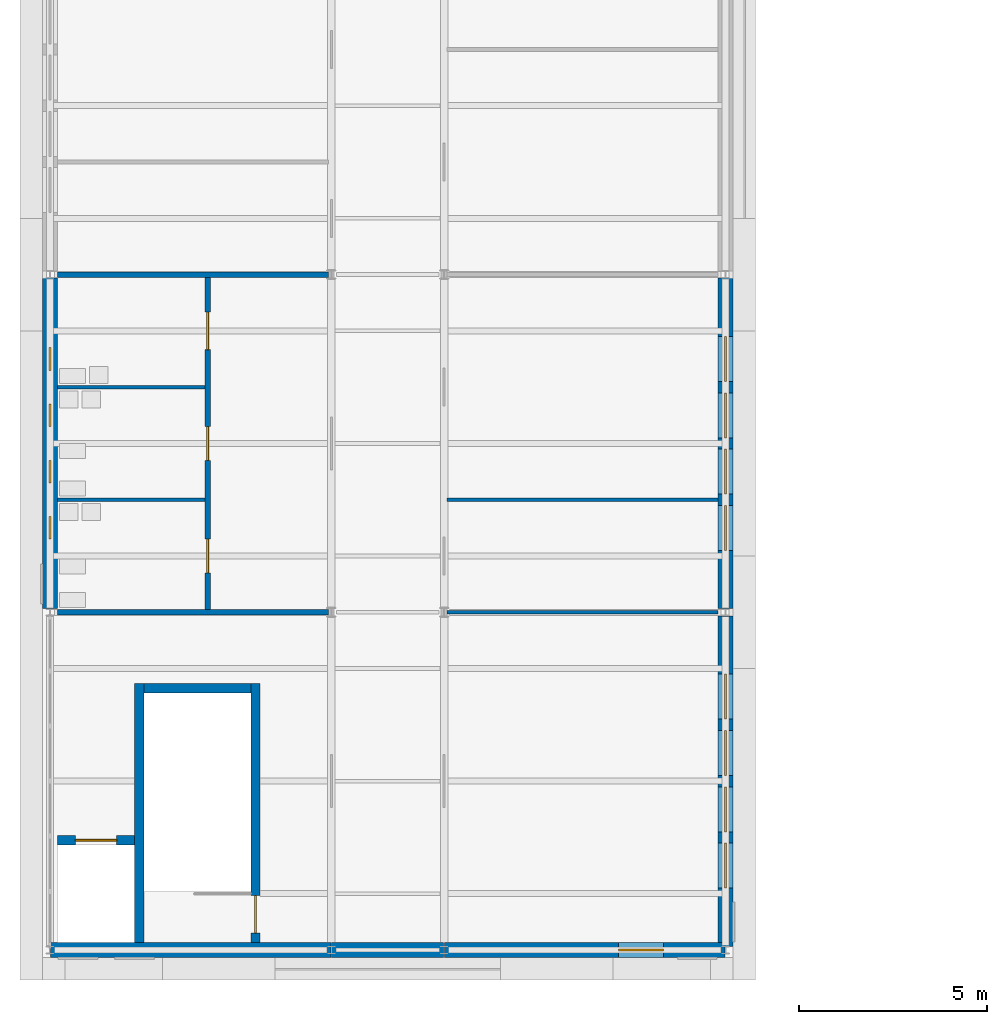
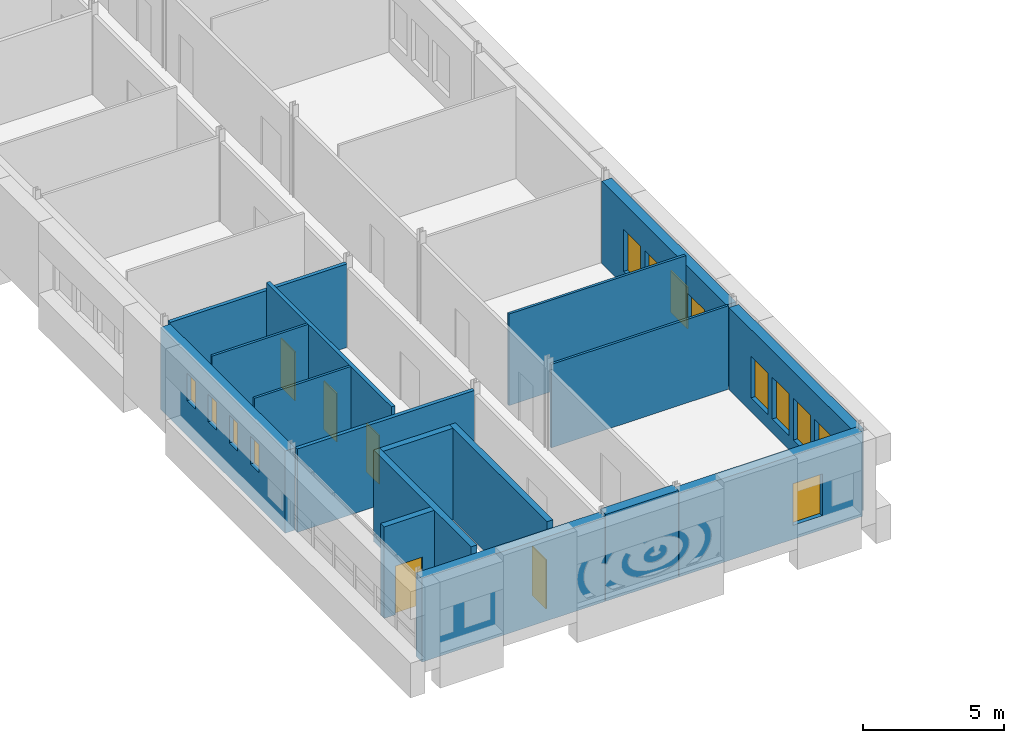
# One storey, part 24 of 42: 17 walls, 13 windows, 5 doors, 18 openings.
"""IFC4 building model written with IfcOpenShell, lengths in metres."""

from ifc_helpers import new_model, si_unit, direction, frame, frame_2d, origin, place, context, subcontext, project, spatial, rectangle, extrude, material, layer, layer_set, type_object, element, fill, save


model = new_model("IFC4")

# Units and contexts
model_context = context("Model", 3, precision=1e-05, world=origin(), true_north=direction((0.0, 1.0)))
body_context = subcontext(model_context, "Body", "Model", "MODEL_VIEW")
ifc_project = project(units=[si_unit("LENGTHUNIT", "METRE"), si_unit("AREAUNIT", "SQUARE_METRE"), si_unit("VOLUMEUNIT", "CUBIC_METRE"), si_unit("PLANEANGLEUNIT", "RADIAN"), si_unit("MASSUNIT", "GRAM", prefix="KILO")], contexts=[model_context])

# Site, building, storey
site_placement = place(None, origin())
site = spatial("IfcSite", under=ifc_project, at=site_placement, CompositionType="ELEMENT")
building_placement = place(site_placement, origin())
building = spatial("IfcBuilding", under=site, at=building_placement, Name="Golden Quay Civic Hall", CompositionType="ELEMENT")
storey_placement = place(building_placement, frame((0.0, 0.0, 22.800048828125)))
storey = spatial("IfcBuildingStorey", under=building, at=storey_placement, Name="L05", CompositionType="ELEMENT", Elevation=22.800048828125)

# Wall
ifc_material_1 = material(Name="Concrete C40/50", Category="concrete")
ifc_layer_1 = layer(ifc_material_1, 0.25)
ifc_layer_set_1 = layer_set([ifc_layer_1], Name="Concrete core wall 250, Concrete C40/50")
wall_type_1 = type_object("IfcWallType", Name="Concrete core wall 250", PredefinedType="SHEAR", material=ifc_layer_set_1)
wall_1_placement = place(storey_placement, frame((2.375, -8.800048828125, 0.0), z_axis=(0.0, 0.0, 1.0), x_axis=(0.0, 1.0, 0.0)))
element("IfcWall", 1, at=wall_1_placement, inside=storey, type_object=wall_type_1, Name="Core wall WO-S-W1", PredefinedType="SHEAR", context=body_context, shape_type="SweptSolid", body=[
    extrude(rectangle(XDim=6.900146484375, YDim=0.25, at=frame_2d((3.4501953125, 0.0))), origin(), (0.0, 0.0, 1.0), 3.949951171875),
])

# Wall, opening, door
wall_2_placement = place(storey_placement, frame((5.47509765625, -8.800048828125, 0.0), z_axis=(0.0, 0.0, 1.0), x_axis=(0.0, 1.0, 0.0)))
wall_2 = element("IfcWall", 2, at=wall_2_placement, inside=storey, type_object=wall_type_1, Name="Core wall WO-S-W2", PredefinedType="SHEAR", context=body_context, shape_type="SweptSolid", body=[
    extrude(rectangle(XDim=6.900146484375, YDim=0.25, at=frame_2d((3.4501953125, 0.0))), origin(), (0.0, 0.0, 1.0), 3.949951171875),
])
opening_1_placement = place(wall_2_placement, frame((0.25, 0.0, 0.0)))
opening_1 = element("IfcOpeningElement", 3, at=opening_1_placement, cuts=wall_2, Name="Opening L05-D028", PredefinedType="OPENING", context=body_context, shape_type="SweptSolid", body=[
    extrude(rectangle(XDim=1.0, YDim=2.10009765625, at=frame_2d((0.5, 1.050048828125))), frame((0.0, 0.135009765625, 0.0), z_axis=(0.0, -1.0, 0.0), x_axis=(1.0, 0.0, 0.0)), (0.0, 0.0, 1.0), 0.27001953125),
])
ifc_material_2 = material(Name="Steel", Category="steel")
door_type_1 = type_object("IfcDoorType", Name="Steel fire door FD60 1000 x 2100", OperationType="SINGLE_SWING_LEFT", PredefinedType="DOOR", material=ifc_material_2)
door_1_placement = place(opening_1_placement, origin())
door_1 = element("IfcDoor", 4, at=door_1_placement, inside=storey, type_object=door_type_1, Name="Door L05-D028", OperationType="SINGLE_SWING_LEFT", OverallHeight=2.10009765625, OverallWidth=1.0, PredefinedType="DOOR", context=body_context, shape_type="SweptSolid", body=[
    extrude(rectangle(XDim=1.0, YDim=2.10009765625, at=frame_2d((0.5, 1.050048828125))), frame((0.0, 0.02490234375, 0.0), z_axis=(0.0, -1.0, 0.0), x_axis=(1.0, 0.0, 0.0)), (0.0, 0.0, 1.0), 0.050048828125),
])
fill(opening_1, door_1)

# Wall
wall_3_placement = place(storey_placement, frame((2.5, -2.02490234375, 0.0), z_axis=(0.0, 0.0, 1.0), x_axis=(1.0, 0.0, 0.0)))
element("IfcWall", 5, at=wall_3_placement, inside=storey, type_object=wall_type_1, Name="Core wall WO-S-W3", PredefinedType="SHEAR", context=body_context, shape_type="SweptSolid", body=[
    extrude(rectangle(XDim=2.85009765625, YDim=0.25, at=frame_2d((1.425048828125, 0.0))), origin(), (0.0, 0.0, 1.0), 3.949951171875),
])

# Wall, opening, door
wall_4_placement = place(storey_placement, frame((0.199951171875, -6.074951171875, 0.0), z_axis=(0.0, 0.0, 1.0), x_axis=(1.0, 0.0, 0.0)))
wall_4 = element("IfcWall", 6, at=wall_4_placement, inside=storey, type_object=wall_type_1, Name="Core wall WO-S-W4", PredefinedType="SHEAR", context=body_context, shape_type="SweptSolid", body=[
    extrude(rectangle(XDim=2.050048828125, YDim=0.25, at=frame_2d((1.02490234375, 0.0))), origin(), (0.0, 0.0, 1.0), 3.949951171875),
])
opening_2_placement = place(wall_4_placement, frame((0.47509765625, 0.0, 0.0)))
opening_2 = element("IfcOpeningElement", 7, at=opening_2_placement, cuts=wall_4, Name="Opening L05-D044", PredefinedType="OPENING", context=body_context, shape_type="SweptSolid", body=[
    extrude(rectangle(XDim=1.10009765625, YDim=2.10009765625, at=frame_2d((0.550048828125, 1.050048828125))), frame((0.0, 0.135009765625, 0.0), z_axis=(0.0, -1.0, 0.0), x_axis=(1.0, 0.0, 0.0)), (0.0, 0.0, 1.0), 0.27001953125),
])
ifc_material_3 = material(Name="Steel", Category="steel")
door_type_2 = type_object("IfcDoorType", Name="Lift landing door 1100 x 2100", OperationType="SLIDING_TO_LEFT", PredefinedType="DOOR", material=ifc_material_3)
door_2_placement = place(opening_2_placement, origin())
door_2 = element("IfcDoor", 8, at=door_2_placement, inside=storey, type_object=door_type_2, Name="Lift landing door L05-D044 WO-S", OperationType="SLIDING_TO_LEFT", OverallHeight=2.10009765625, OverallWidth=1.10009765625, PredefinedType="DOOR", context=body_context, shape_type="SweptSolid", body=[
    extrude(rectangle(XDim=1.10009765625, YDim=2.10009765625, at=frame_2d((0.550048828125, 1.050048828125))), frame((0.0, 0.02490234375, 0.0), z_axis=(0.0, -1.0, 0.0), x_axis=(1.0, 0.0, 0.0)), (0.0, 0.0, 1.0), 0.050048828125),
])
fill(opening_2, door_2)

# Walls
ifc_material_4 = material(Name="Plasterboard on steel studs", Category="steel")
ifc_layer_2 = layer(ifc_material_4, 0.10009765625)
ifc_layer_set_2 = layer_set([ifc_layer_2], Name="Partition 100 stud")
wall_type_2 = type_object("IfcWallType", Name="Partition 100 stud", PredefinedType="PARTITIONING", material=ifc_layer_set_2)
wall_5_placement = place(storey_placement, frame((10.574951171875, 0.0, 0.0), z_axis=(0.0, 0.0, 1.0), x_axis=(1.0, 0.0, 0.0)))
element("IfcWall", 9, at=wall_5_placement, inside=storey, type_object=wall_type_2, Name="Partition L05-011", PredefinedType="PARTITIONING", context=body_context, shape_type="SweptSolid", body=[
    extrude(rectangle(XDim=7.22509765625, YDim=0.10009765625, at=frame_2d((3.612548828125, 0.0))), origin(), (0.0, 0.0, 1.0), 3.599853515625),
])
wall_6_placement = place(storey_placement, frame((10.574951171875, 3.0, 0.0), z_axis=(0.0, 0.0, 1.0), x_axis=(1.0, 0.0, 0.0)))
element("IfcWall", 10, at=wall_6_placement, inside=storey, type_object=wall_type_2, Name="Partition L05-012", PredefinedType="PARTITIONING", context=body_context, shape_type="SweptSolid", body=[
    extrude(rectangle(XDim=7.22509765625, YDim=0.10009765625, at=frame_2d((3.612548828125, 0.0))), origin(), (0.0, 0.0, 1.0), 3.949951171875),
])
for number, where, z_axis, x_axis, name in (
    (11, (0.199951171875, 3.0, 0.0), (0.0, 0.0, 1.0), (1.0, 0.0, 0.0), "Partition L05-036"),
    (12, (0.199951171875, 6.0, 0.0), (0.0, 0.0, 1.0), (1.0, 0.0, 0.0), "Partition L05-037"),
):
    element("IfcWall", number, at=place(storey_placement, frame(where, z_axis=z_axis, x_axis=x_axis)), inside=storey, type_object=wall_type_2, Name=name, PredefinedType="PARTITIONING", context=body_context, shape_type="SweptSolid", body=[
        extrude(rectangle(XDim=3.925048828125, YDim=0.10009765625, at=frame_2d((1.96240234375, 0.0))), origin(), (0.0, 0.0, 1.0), 3.949951171875),
    ])
ifc_material_5 = material(Name="Plasterboard on steel studs", Category="steel")
ifc_layer_3 = layer(ifc_material_5, 0.14990234375)
ifc_layer_set_3 = layer_set([ifc_layer_3], Name="Partition 150 stud fire EI 60")
wall_type_3 = type_object("IfcWallType", Name="Partition 150 stud fire EI 60", PredefinedType="PARTITIONING", material=ifc_layer_set_3)
for number, where, z_axis, x_axis, name in (
    (13, (0.199951171875, 9.0, 0.0), (0.0, 0.0, 1.0), (1.0, 0.0, 0.0), "Partition L05-000"),
    (14, (0.199951171875, 0.0, 0.0), (0.0, 0.0, 1.0), (1.0, 0.0, 0.0), "Partition L05-025"),
):
    element("IfcWall", number, at=place(storey_placement, frame(where, z_axis=z_axis, x_axis=x_axis)), inside=storey, type_object=wall_type_3, Name=name, PredefinedType="PARTITIONING", context=body_context, shape_type="SweptSolid", body=[
        extrude(rectangle(XDim=7.22509765625, YDim=0.14990234375, at=frame_2d((3.612548828125, 0.0))), origin(), (0.0, 0.0, 1.0), 3.599853515625),
    ])

# Wall, openings, doors
wall_7_placement = place(storey_placement, frame((4.199951171875, 0.074951171875, 0.0), z_axis=(0.0, 0.0, 1.0), x_axis=(0.0, 1.0, 0.0)))
wall_7 = element("IfcWall", 15, at=wall_7_placement, inside=storey, type_object=wall_type_3, Name="Partition L05-035", PredefinedType="PARTITIONING", context=body_context, shape_type="SweptSolid", body=[
    extrude(rectangle(XDim=8.85009765625, YDim=0.14990234375, at=frame_2d((4.425048828125, 0.0))), origin(), (0.0, 0.0, 1.0), 3.949951171875),
])
opening_3_placement = place(wall_7_placement, frame((0.97509765625, 0.0, 0.0)))
opening_3 = element("IfcOpeningElement", 16, at=opening_3_placement, cuts=wall_7, Name="Opening L05-D025", PredefinedType="OPENING", context=body_context, shape_type="SweptSolid", body=[
    extrude(rectangle(XDim=0.89990234375, YDim=2.10009765625, at=frame_2d((0.449951171875, 1.050048828125))), frame((0.0, 0.0849609375, 0.0), z_axis=(0.0, -1.0, 0.0), x_axis=(1.0, 0.0, 0.0)), (0.0, 0.0, 1.0), 0.169921875),
])
opening_4_placement = place(wall_7_placement, frame((3.97509765625, 0.0, 0.0)))
opening_4 = element("IfcOpeningElement", 17, at=opening_4_placement, cuts=wall_7, Name="Opening L05-D026", PredefinedType="OPENING", context=body_context, shape_type="SweptSolid", body=[
    extrude(rectangle(XDim=0.89990234375, YDim=2.10009765625, at=frame_2d((0.449951171875, 1.050048828125))), frame((0.0, 0.0849609375, 0.0), z_axis=(0.0, -1.0, 0.0), x_axis=(1.0, 0.0, 0.0)), (0.0, 0.0, 1.0), 0.169921875),
])
opening_5_placement = place(wall_7_placement, frame((6.925048828125, 0.0, 0.0)))
opening_5 = element("IfcOpeningElement", 18, at=opening_5_placement, cuts=wall_7, Name="Opening L05-D027", PredefinedType="OPENING", context=body_context, shape_type="SweptSolid", body=[
    extrude(rectangle(XDim=1.0, YDim=2.10009765625, at=frame_2d((0.5, 1.050048828125))), frame((0.0, 0.0849609375, 0.0), z_axis=(0.0, -1.0, 0.0), x_axis=(1.0, 0.0, 0.0)), (0.0, 0.0, 1.0), 0.169921875),
])
ifc_material_6 = material(Name="Timber", Category="wood")
door_type_3 = type_object("IfcDoorType", Name="Timber door 1000 x 2100", OperationType="SINGLE_SWING_LEFT", PredefinedType="DOOR", material=ifc_material_6)
door_3_placement = place(opening_5_placement, origin())
door_3 = element("IfcDoor", 19, at=door_3_placement, inside=storey, type_object=door_type_3, Name="Door L05-D027", OperationType="SINGLE_SWING_LEFT", OverallHeight=2.10009765625, OverallWidth=1.0, PredefinedType="DOOR", context=body_context, shape_type="SweptSolid", body=[
    extrude(rectangle(XDim=1.0, YDim=2.10009765625, at=frame_2d((0.5, 1.050048828125))), frame((0.0, 0.02490234375, 0.0), z_axis=(0.0, -1.0, 0.0), x_axis=(1.0, 0.0, 0.0)), (0.0, 0.0, 1.0), 0.050048828125),
])
fill(opening_5, door_3)
ifc_material_7 = material(Name="Timber", Category="wood")
door_type_4 = type_object("IfcDoorType", Name="Timber door 900 x 2100", OperationType="SINGLE_SWING_LEFT", PredefinedType="DOOR", material=ifc_material_7)
door_4_placement = place(opening_3_placement, origin())
door_4 = element("IfcDoor", 20, at=door_4_placement, inside=storey, type_object=door_type_4, Name="Door L05-D025", OperationType="SINGLE_SWING_LEFT", OverallHeight=2.10009765625, OverallWidth=0.89990234375, PredefinedType="DOOR", context=body_context, shape_type="SweptSolid", body=[
    extrude(rectangle(XDim=0.89990234375, YDim=2.10009765625, at=frame_2d((0.449951171875, 1.050048828125))), frame((0.0, 0.02490234375, 0.0), z_axis=(0.0, -1.0, 0.0), x_axis=(1.0, 0.0, 0.0)), (0.0, 0.0, 1.0), 0.050048828125),
])
fill(opening_3, door_4)
door_5_placement = place(opening_4_placement, origin())
door_5 = element("IfcDoor", 21, at=door_5_placement, inside=storey, type_object=door_type_4, Name="Door L05-D026", OperationType="SINGLE_SWING_LEFT", OverallHeight=2.10009765625, OverallWidth=0.89990234375, PredefinedType="DOOR", context=body_context, shape_type="SweptSolid", body=[
    extrude(rectangle(XDim=0.89990234375, YDim=2.10009765625, at=frame_2d((0.449951171875, 1.050048828125))), frame((0.0, 0.02490234375, 0.0), z_axis=(0.0, -1.0, 0.0), x_axis=(1.0, 0.0, 0.0)), (0.0, 0.0, 1.0), 0.050048828125),
])
fill(opening_4, door_5)

# Wall, openings, windows
ifc_material_8 = material(Name="Clay block, rendered, cream")
ifc_layer_4 = layer(ifc_material_8, 0.39990234375)
ifc_layer_set_4 = layer_set([ifc_layer_4], Name="Rendered block external wall 400")
wall_type_4 = type_object("IfcWallType", Name="Rendered block external wall 400", PredefinedType="STANDARD", material=ifc_layer_set_4)
wall_8_placement = place(storey_placement, frame((0.0, 0.094970703125, 0.0), z_axis=(0.0, 0.0, 1.0), x_axis=(0.0, 1.0, 0.0)))
wall_8 = element("IfcWall", 22, at=wall_8_placement, inside=storey, type_object=wall_type_4, Name="Rendered block external wall 400 L05 1", PredefinedType="STANDARD", context=body_context, shape_type="SweptSolid", body=[
    extrude(rectangle(XDim=8.81005859375, YDim=0.39990234375, at=frame_2d((4.405029296875, 0.0))), origin(), (0.0, 0.0, 1.0), 3.550048828125),
])
opening_6_placement = place(wall_8_placement, frame((1.85498046875, 0.0, 1.5)))
opening_6 = element("IfcOpeningElement", 23, at=opening_6_placement, cuts=wall_8, Name="Opening WN1", PredefinedType="OPENING", context=body_context, shape_type="SweptSolid", body=[
    extrude(rectangle(XDim=0.60009765625, YDim=1.199951171875, at=frame_2d((0.300048828125, 0.60009765625))), frame((0.0, 0.2099609375, 0.0), z_axis=(0.0, -1.0, 0.0), x_axis=(1.0, 0.0, 0.0)), (0.0, 0.0, 1.0), 0.419921875),
])
opening_7_placement = place(wall_8_placement, frame((3.35498046875, 0.0, 1.5)))
opening_7 = element("IfcOpeningElement", 24, at=opening_7_placement, cuts=wall_8, Name="Opening WN1", PredefinedType="OPENING", context=body_context, shape_type="SweptSolid", body=[
    extrude(rectangle(XDim=0.60009765625, YDim=1.199951171875, at=frame_2d((0.300048828125, 0.60009765625))), frame((0.0, 0.2099609375, 0.0), z_axis=(0.0, -1.0, 0.0), x_axis=(1.0, 0.0, 0.0)), (0.0, 0.0, 1.0), 0.419921875),
])
opening_8_placement = place(wall_8_placement, frame((4.85498046875, 0.0, 1.5)))
opening_8 = element("IfcOpeningElement", 25, at=opening_8_placement, cuts=wall_8, Name="Opening WN1", PredefinedType="OPENING", context=body_context, shape_type="SweptSolid", body=[
    extrude(rectangle(XDim=0.60009765625, YDim=1.199951171875, at=frame_2d((0.300048828125, 0.60009765625))), frame((0.0, 0.2099609375, 0.0), z_axis=(0.0, -1.0, 0.0), x_axis=(1.0, 0.0, 0.0)), (0.0, 0.0, 1.0), 0.419921875),
])
opening_9_placement = place(wall_8_placement, frame((6.35498046875, 0.0, 1.5)))
opening_9 = element("IfcOpeningElement", 26, at=opening_9_placement, cuts=wall_8, Name="Opening WN1", PredefinedType="OPENING", context=body_context, shape_type="SweptSolid", body=[
    extrude(rectangle(XDim=0.60009765625, YDim=1.199951171875, at=frame_2d((0.300048828125, 0.60009765625))), frame((0.0, 0.2099609375, 0.0), z_axis=(0.0, -1.0, 0.0), x_axis=(1.0, 0.0, 0.0)), (0.0, 0.0, 1.0), 0.419921875),
])
ifc_material_9 = material(Name="Aluminium frame, double glazed", Category="aluminium")
window_type_1 = type_object("IfcWindowType", Name="WC window 600 x 1200", PartitioningType="SINGLE_PANEL", PredefinedType="WINDOW", material=ifc_material_9)
window_1_placement = place(opening_6_placement, origin())
window_1 = element("IfcWindow", 27, at=window_1_placement, inside=storey, type_object=window_type_1, Name="WC window 600 x 1200 L05 1", OverallHeight=1.199951171875, OverallWidth=0.60009765625, PartitioningType="SINGLE_PANEL", PredefinedType="WINDOW", context=body_context, shape_type="SweptSolid", body=[
    extrude(rectangle(XDim=0.60009765625, YDim=1.199951171875, at=frame_2d((0.300048828125, 0.60009765625))), frame((0.0, 0.030029296875, 0.0), z_axis=(0.0, -1.0, 0.0), x_axis=(1.0, 0.0, 0.0)), (0.0, 0.0, 1.0), 0.06005859375),
])
fill(opening_6, window_1)
window_2_placement = place(opening_7_placement, origin())
window_2 = element("IfcWindow", 28, at=window_2_placement, inside=storey, type_object=window_type_1, Name="WC window 600 x 1200 L05 2", OverallHeight=1.199951171875, OverallWidth=0.60009765625, PartitioningType="SINGLE_PANEL", PredefinedType="WINDOW", context=body_context, shape_type="SweptSolid", body=[
    extrude(rectangle(XDim=0.60009765625, YDim=1.199951171875, at=frame_2d((0.300048828125, 0.60009765625))), frame((0.0, 0.030029296875, 0.0), z_axis=(0.0, -1.0, 0.0), x_axis=(1.0, 0.0, 0.0)), (0.0, 0.0, 1.0), 0.06005859375),
])
fill(opening_7, window_2)
window_3_placement = place(opening_8_placement, origin())
window_3 = element("IfcWindow", 29, at=window_3_placement, inside=storey, type_object=window_type_1, Name="WC window 600 x 1200 L05 3", OverallHeight=1.199951171875, OverallWidth=0.60009765625, PartitioningType="SINGLE_PANEL", PredefinedType="WINDOW", context=body_context, shape_type="SweptSolid", body=[
    extrude(rectangle(XDim=0.60009765625, YDim=1.199951171875, at=frame_2d((0.300048828125, 0.60009765625))), frame((0.0, 0.030029296875, 0.0), z_axis=(0.0, -1.0, 0.0), x_axis=(1.0, 0.0, 0.0)), (0.0, 0.0, 1.0), 0.06005859375),
])
fill(opening_8, window_3)
window_4_placement = place(opening_9_placement, origin())
window_4 = element("IfcWindow", 30, at=window_4_placement, inside=storey, type_object=window_type_1, Name="WC window 600 x 1200 L05 4", OverallHeight=1.199951171875, OverallWidth=0.60009765625, PartitioningType="SINGLE_PANEL", PredefinedType="WINDOW", context=body_context, shape_type="SweptSolid", body=[
    extrude(rectangle(XDim=0.60009765625, YDim=1.199951171875, at=frame_2d((0.300048828125, 0.60009765625))), frame((0.0, 0.030029296875, 0.0), z_axis=(0.0, -1.0, 0.0), x_axis=(1.0, 0.0, 0.0)), (0.0, 0.0, 1.0), 0.06005859375),
])
fill(opening_9, window_4)

wall_9_placement = place(storey_placement, frame((18.0, -0.094970703125, 0.0), z_axis=(0.0, 0.0, 1.0), x_axis=(0.0, -1.0, 0.0)))
wall_9 = element("IfcWall", 31, at=wall_9_placement, inside=storey, type_object=wall_type_4, Name="Rendered block external wall 400 L05 12", PredefinedType="STANDARD", context=body_context, shape_type="SweptSolid", body=[
    extrude(rectangle(XDim=8.81005859375, YDim=0.39990234375, at=frame_2d((4.405029296875, 0.0))), origin(), (0.0, 0.0, 1.0), 3.550048828125),
])
opening_10_placement = place(wall_9_placement, frame((6.054931640625, 0.0, 0.60009765625)))
opening_10 = element("IfcOpeningElement", 32, at=opening_10_placement, cuts=wall_9, Name="Opening WN10", PredefinedType="OPENING", context=body_context, shape_type="SweptSolid", body=[
    extrude(rectangle(XDim=1.199951171875, YDim=1.800048828125, at=frame_2d((0.60009765625, 0.89990234375))), frame((0.0, 0.2099609375, 0.0), z_axis=(0.0, -1.0, 0.0), x_axis=(1.0, 0.0, 0.0)), (0.0, 0.0, 1.0), 0.419921875),
])
opening_11_placement = place(wall_9_placement, frame((4.554931640625, 0.0, 0.60009765625)))
opening_11 = element("IfcOpeningElement", 33, at=opening_11_placement, cuts=wall_9, Name="Opening WN10", PredefinedType="OPENING", context=body_context, shape_type="SweptSolid", body=[
    extrude(rectangle(XDim=1.199951171875, YDim=1.800048828125, at=frame_2d((0.60009765625, 0.89990234375))), frame((0.0, 0.2099609375, 0.0), z_axis=(0.0, -1.0, 0.0), x_axis=(1.0, 0.0, 0.0)), (0.0, 0.0, 1.0), 0.419921875),
])
opening_12_placement = place(wall_9_placement, frame((3.054931640625, 0.0, 0.60009765625)))
opening_12 = element("IfcOpeningElement", 34, at=opening_12_placement, cuts=wall_9, Name="Opening WN10", PredefinedType="OPENING", context=body_context, shape_type="SweptSolid", body=[
    extrude(rectangle(XDim=1.199951171875, YDim=1.800048828125, at=frame_2d((0.60009765625, 0.89990234375))), frame((0.0, 0.2099609375, 0.0), z_axis=(0.0, -1.0, 0.0), x_axis=(1.0, 0.0, 0.0)), (0.0, 0.0, 1.0), 0.419921875),
])
opening_13_placement = place(wall_9_placement, frame((1.554931640625, 0.0, 0.60009765625)))
opening_13 = element("IfcOpeningElement", 35, at=opening_13_placement, cuts=wall_9, Name="Opening WN10", PredefinedType="OPENING", context=body_context, shape_type="SweptSolid", body=[
    extrude(rectangle(XDim=1.199951171875, YDim=1.800048828125, at=frame_2d((0.60009765625, 0.89990234375))), frame((0.0, 0.2099609375, 0.0), z_axis=(0.0, -1.0, 0.0), x_axis=(1.0, 0.0, 0.0)), (0.0, 0.0, 1.0), 0.419921875),
])
ifc_material_10 = material(Name="Aluminium frame, double glazed", Category="aluminium")
window_type_2 = type_object("IfcWindowType", Name="Golden grid window 1200 x 1800", PartitioningType="SINGLE_PANEL", PredefinedType="WINDOW", material=ifc_material_10)
window_5_placement = place(opening_10_placement, origin())
window_5 = element("IfcWindow", 36, at=window_5_placement, inside=storey, type_object=window_type_2, Name="Golden grid window 1200 x 1800 L05 17", OverallHeight=1.800048828125, OverallWidth=1.199951171875, PartitioningType="SINGLE_PANEL", PredefinedType="WINDOW", context=body_context, shape_type="SweptSolid", body=[
    extrude(rectangle(XDim=1.199951171875, YDim=1.800048828125, at=frame_2d((0.60009765625, 0.89990234375))), frame((0.0, 0.030029296875, 0.0), z_axis=(0.0, -1.0, 0.0), x_axis=(1.0, 0.0, 0.0)), (0.0, 0.0, 1.0), 0.06005859375),
])
fill(opening_10, window_5)
window_6_placement = place(opening_11_placement, origin())
window_6 = element("IfcWindow", 37, at=window_6_placement, inside=storey, type_object=window_type_2, Name="Golden grid window 1200 x 1800 L05 18", OverallHeight=1.800048828125, OverallWidth=1.199951171875, PartitioningType="SINGLE_PANEL", PredefinedType="WINDOW", context=body_context, shape_type="SweptSolid", body=[
    extrude(rectangle(XDim=1.199951171875, YDim=1.800048828125, at=frame_2d((0.60009765625, 0.89990234375))), frame((0.0, 0.030029296875, 0.0), z_axis=(0.0, -1.0, 0.0), x_axis=(1.0, 0.0, 0.0)), (0.0, 0.0, 1.0), 0.06005859375),
])
fill(opening_11, window_6)
window_7_placement = place(opening_12_placement, origin())
window_7 = element("IfcWindow", 38, at=window_7_placement, inside=storey, type_object=window_type_2, Name="Golden grid window 1200 x 1800 L05 19", OverallHeight=1.800048828125, OverallWidth=1.199951171875, PartitioningType="SINGLE_PANEL", PredefinedType="WINDOW", context=body_context, shape_type="SweptSolid", body=[
    extrude(rectangle(XDim=1.199951171875, YDim=1.800048828125, at=frame_2d((0.60009765625, 0.89990234375))), frame((0.0, 0.030029296875, 0.0), z_axis=(0.0, -1.0, 0.0), x_axis=(1.0, 0.0, 0.0)), (0.0, 0.0, 1.0), 0.06005859375),
])
fill(opening_12, window_7)
window_8_placement = place(opening_13_placement, origin())
window_8 = element("IfcWindow", 39, at=window_8_placement, inside=storey, type_object=window_type_2, Name="Golden grid window 1200 x 1800 L05 20", OverallHeight=1.800048828125, OverallWidth=1.199951171875, PartitioningType="SINGLE_PANEL", PredefinedType="WINDOW", context=body_context, shape_type="SweptSolid", body=[
    extrude(rectangle(XDim=1.199951171875, YDim=1.800048828125, at=frame_2d((0.60009765625, 0.89990234375))), frame((0.0, 0.030029296875, 0.0), z_axis=(0.0, -1.0, 0.0), x_axis=(1.0, 0.0, 0.0)), (0.0, 0.0, 1.0), 0.06005859375),
])
fill(opening_13, window_8)

wall_10_placement = place(storey_placement, frame((18.0, 8.905029296875, 0.0), z_axis=(0.0, 0.0, 1.0), x_axis=(0.0, -1.0, 0.0)))
wall_10 = element("IfcWall", 40, at=wall_10_placement, inside=storey, type_object=wall_type_4, Name="Rendered block external wall 400 L05 13", PredefinedType="STANDARD", context=body_context, shape_type="SweptSolid", body=[
    extrude(rectangle(XDim=8.81005859375, YDim=0.39990234375, at=frame_2d((4.405029296875, 0.0))), origin(), (0.0, 0.0, 1.0), 3.550048828125),
])
opening_14_placement = place(wall_10_placement, frame((6.054931640625, 0.0, 0.60009765625)))
opening_14 = element("IfcOpeningElement", 41, at=opening_14_placement, cuts=wall_10, Name="Opening WN10", PredefinedType="OPENING", context=body_context, shape_type="SweptSolid", body=[
    extrude(rectangle(XDim=1.199951171875, YDim=1.800048828125, at=frame_2d((0.60009765625, 0.89990234375))), frame((0.0, 0.2099609375, 0.0), z_axis=(0.0, -1.0, 0.0), x_axis=(1.0, 0.0, 0.0)), (0.0, 0.0, 1.0), 0.419921875),
])
opening_15_placement = place(wall_10_placement, frame((4.554931640625, 0.0, 0.60009765625)))
opening_15 = element("IfcOpeningElement", 42, at=opening_15_placement, cuts=wall_10, Name="Opening WN10", PredefinedType="OPENING", context=body_context, shape_type="SweptSolid", body=[
    extrude(rectangle(XDim=1.199951171875, YDim=1.800048828125, at=frame_2d((0.60009765625, 0.89990234375))), frame((0.0, 0.2099609375, 0.0), z_axis=(0.0, -1.0, 0.0), x_axis=(1.0, 0.0, 0.0)), (0.0, 0.0, 1.0), 0.419921875),
])
opening_16_placement = place(wall_10_placement, frame((3.054931640625, 0.0, 0.60009765625)))
opening_16 = element("IfcOpeningElement", 43, at=opening_16_placement, cuts=wall_10, Name="Opening WN10", PredefinedType="OPENING", context=body_context, shape_type="SweptSolid", body=[
    extrude(rectangle(XDim=1.199951171875, YDim=1.800048828125, at=frame_2d((0.60009765625, 0.89990234375))), frame((0.0, 0.2099609375, 0.0), z_axis=(0.0, -1.0, 0.0), x_axis=(1.0, 0.0, 0.0)), (0.0, 0.0, 1.0), 0.419921875),
])
opening_17_placement = place(wall_10_placement, frame((1.554931640625, 0.0, 0.60009765625)))
opening_17 = element("IfcOpeningElement", 44, at=opening_17_placement, cuts=wall_10, Name="Opening WN10", PredefinedType="OPENING", context=body_context, shape_type="SweptSolid", body=[
    extrude(rectangle(XDim=1.199951171875, YDim=1.800048828125, at=frame_2d((0.60009765625, 0.89990234375))), frame((0.0, 0.2099609375, 0.0), z_axis=(0.0, -1.0, 0.0), x_axis=(1.0, 0.0, 0.0)), (0.0, 0.0, 1.0), 0.419921875),
])
window_9_placement = place(opening_14_placement, origin())
window_9 = element("IfcWindow", 45, at=window_9_placement, inside=storey, type_object=window_type_2, Name="Golden grid window 1200 x 1800 L05 21", OverallHeight=1.800048828125, OverallWidth=1.199951171875, PartitioningType="SINGLE_PANEL", PredefinedType="WINDOW", context=body_context, shape_type="SweptSolid", body=[
    extrude(rectangle(XDim=1.199951171875, YDim=1.800048828125, at=frame_2d((0.60009765625, 0.89990234375))), frame((0.0, 0.030029296875, 0.0), z_axis=(0.0, -1.0, 0.0), x_axis=(1.0, 0.0, 0.0)), (0.0, 0.0, 1.0), 0.06005859375),
])
fill(opening_14, window_9)
window_10_placement = place(opening_15_placement, origin())
window_10 = element("IfcWindow", 46, at=window_10_placement, inside=storey, type_object=window_type_2, Name="Golden grid window 1200 x 1800 L05 22", OverallHeight=1.800048828125, OverallWidth=1.199951171875, PartitioningType="SINGLE_PANEL", PredefinedType="WINDOW", context=body_context, shape_type="SweptSolid", body=[
    extrude(rectangle(XDim=1.199951171875, YDim=1.800048828125, at=frame_2d((0.60009765625, 0.89990234375))), frame((0.0, 0.030029296875, 0.0), z_axis=(0.0, -1.0, 0.0), x_axis=(1.0, 0.0, 0.0)), (0.0, 0.0, 1.0), 0.06005859375),
])
fill(opening_15, window_10)
window_11_placement = place(opening_16_placement, origin())
window_11 = element("IfcWindow", 47, at=window_11_placement, inside=storey, type_object=window_type_2, Name="Golden grid window 1200 x 1800 L05 23", OverallHeight=1.800048828125, OverallWidth=1.199951171875, PartitioningType="SINGLE_PANEL", PredefinedType="WINDOW", context=body_context, shape_type="SweptSolid", body=[
    extrude(rectangle(XDim=1.199951171875, YDim=1.800048828125, at=frame_2d((0.60009765625, 0.89990234375))), frame((0.0, 0.030029296875, 0.0), z_axis=(0.0, -1.0, 0.0), x_axis=(1.0, 0.0, 0.0)), (0.0, 0.0, 1.0), 0.06005859375),
])
fill(opening_16, window_11)
window_12_placement = place(opening_17_placement, origin())
window_12 = element("IfcWindow", 48, at=window_12_placement, inside=storey, type_object=window_type_2, Name="Golden grid window 1200 x 1800 L05 24", OverallHeight=1.800048828125, OverallWidth=1.199951171875, PartitioningType="SINGLE_PANEL", PredefinedType="WINDOW", context=body_context, shape_type="SweptSolid", body=[
    extrude(rectangle(XDim=1.199951171875, YDim=1.800048828125, at=frame_2d((0.60009765625, 0.89990234375))), frame((0.0, 0.030029296875, 0.0), z_axis=(0.0, -1.0, 0.0), x_axis=(1.0, 0.0, 0.0)), (0.0, 0.0, 1.0), 0.06005859375),
])
fill(opening_17, window_12)

# Wall
wall_11_placement = place(storey_placement, frame((10.49169921875, -9.0, 0.0), z_axis=(0.0, 0.0, 1.0), x_axis=(-1.0, 0.0, 0.0)))
element("IfcWall", 49, at=wall_11_placement, inside=storey, type_object=wall_type_4, Name="Rendered block external wall 400 L05 19", PredefinedType="STANDARD", context=body_context, shape_type="SweptSolid", body=[
    extrude(rectangle(XDim=2.9833984375, YDim=0.39990234375, at=frame_2d((1.49169921875, 0.0))), origin(), (0.0, 0.0, 1.0), 3.75),
])

# Wall, opening, window
wall_12_placement = place(storey_placement, frame((17.99169921875, -9.0, 0.0), z_axis=(0.0, 0.0, 1.0), x_axis=(-1.0, 0.0, 0.0)))
wall_12 = element("IfcWall", 50, at=wall_12_placement, inside=storey, type_object=wall_type_4, Name="Rendered block external wall 400 L05 20", PredefinedType="STANDARD", context=body_context, shape_type="SweptSolid", body=[
    extrude(rectangle(XDim=7.4833984375, YDim=0.39990234375, at=frame_2d((3.74169921875, 0.0))), origin(), (0.0, 0.0, 1.0), 3.619873046875),
])
opening_18_placement = place(wall_12_placement, frame((1.641845703125, 0.0, 0.60009765625)))
opening_18 = element("IfcOpeningElement", 51, at=opening_18_placement, cuts=wall_12, Name="Opening WN10", PredefinedType="OPENING", context=body_context, shape_type="SweptSolid", body=[
    extrude(rectangle(XDim=1.199951171875, YDim=1.800048828125, at=frame_2d((0.60009765625, 0.89990234375))), frame((0.0, 0.2099609375, 0.0), z_axis=(0.0, -1.0, 0.0), x_axis=(1.0, 0.0, 0.0)), (0.0, 0.0, 1.0), 0.419921875),
])
window_13_placement = place(opening_18_placement, origin())
window_13 = element("IfcWindow", 52, at=window_13_placement, inside=storey, type_object=window_type_2, Name="Golden grid window 1200 x 1800 L05 37", OverallHeight=1.800048828125, OverallWidth=1.199951171875, PartitioningType="SINGLE_PANEL", PredefinedType="WINDOW", context=body_context, shape_type="SweptSolid", body=[
    extrude(rectangle(XDim=1.199951171875, YDim=1.800048828125, at=frame_2d((0.60009765625, 0.89990234375))), frame((0.0, 0.030029296875, 0.0), z_axis=(0.0, -1.0, 0.0), x_axis=(1.0, 0.0, 0.0)), (0.0, 0.0, 1.0), 0.06005859375),
])
fill(opening_18, window_13)

# Wall
ifc_material_11 = material(Name="Clay block, rendered, cream")
ifc_layer_5 = layer(ifc_material_11, 0.39990234375)
ifc_layer_set_5 = layer_set([ifc_layer_5], Name="Rendered block external wall 400 fire EI 60")
wall_type_5 = type_object("IfcWallType", Name="Rendered block external wall 400 fire EI 60", PredefinedType="STANDARD", material=ifc_layer_set_5)
wall_13_placement = place(storey_placement, frame((7.49169921875, -9.0, 0.0), z_axis=(0.0, 0.0, 1.0), x_axis=(-1.0, 0.0, 0.0)))
element("IfcWall", 53, at=wall_13_placement, inside=storey, type_object=wall_type_5, Name="Rendered block external wall 400 fire EI 60 L05 3", PredefinedType="STANDARD", context=body_context, shape_type="SweptSolid", body=[
    extrude(rectangle(XDim=7.4833984375, YDim=0.39990234375, at=frame_2d((3.74169921875, 0.0))), origin(), (0.0, 0.0, 1.0), 3.619873046875),
])

save(model, "model.ifc")
